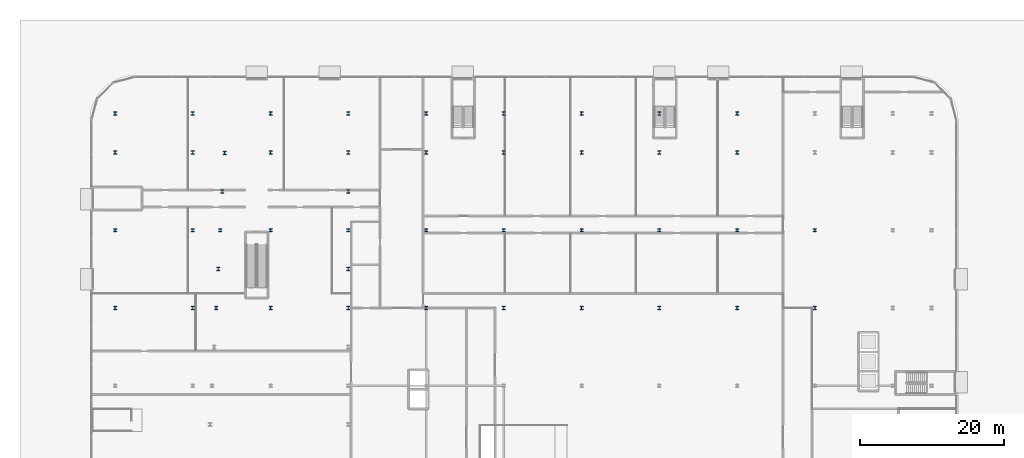
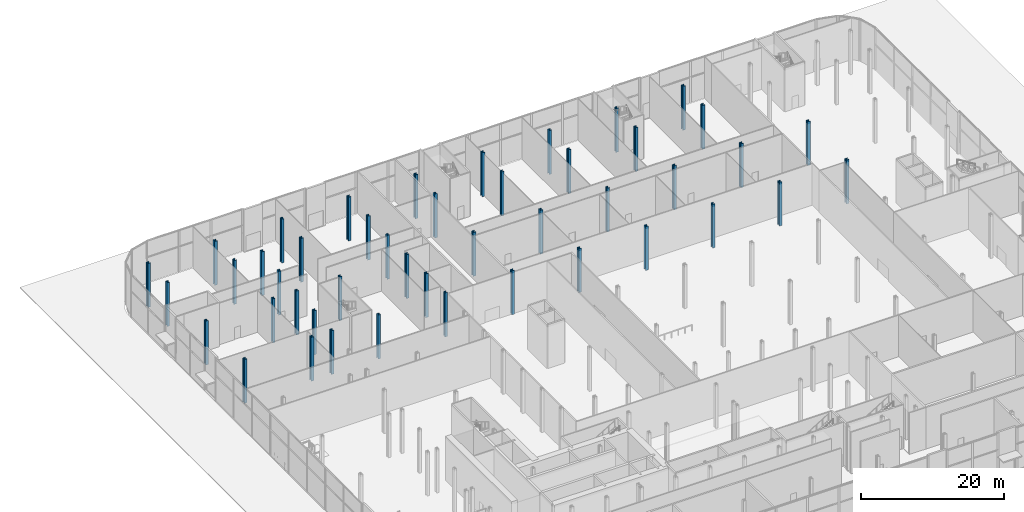
# One storey, part 3 of 46: 45 columns.
"""IFC4 building model written with IfcOpenShell, lengths in metres."""

from ifc_helpers import new_model, si_unit, direction, frame, origin, origin_2d, place, context, subcontext, project, spatial, i_section, extrude, material, material_profile, profile_set, type_object, element, save


model = new_model("IFC4")

# Units and contexts
model_context = context("Model", 3, precision=1e-05, world=origin(), true_north=direction((0.0, 1.0)))
body_context = subcontext(model_context, "Body", "Model", "MODEL_VIEW")
ifc_project = project(units=[si_unit("LENGTHUNIT", "METRE"), si_unit("AREAUNIT", "SQUARE_METRE"), si_unit("VOLUMEUNIT", "CUBIC_METRE"), si_unit("PLANEANGLEUNIT", "RADIAN"), si_unit("MASSUNIT", "GRAM", prefix="KILO")], contexts=[model_context])

# Site, building, storey
site_placement = place(None, origin())
site = spatial("IfcSite", under=ifc_project, at=site_placement, CompositionType="ELEMENT")
building_placement = place(site_placement, origin())
building = spatial("IfcBuilding", under=site, at=building_placement, Name="Kheshtan School and Residences Tower", CompositionType="ELEMENT")
storey_placement = place(building_placement, origin())
storey = spatial("IfcBuildingStorey", under=building, at=storey_placement, Name="L00", CompositionType="ELEMENT", Elevation=0.0)

# Columns
ifc_material = material(Name="Steel ASTM A992 Grade 50", Category="steel")
ifc_material_profile = material_profile(ifc_material, i_section(OverallWidth=0.424072265625, OverallDepth=0.47412109375, WebThickness=0.047607421875, FlangeThickness=0.0771484375, FilletRadius=0.01416015625, at=origin_2d()), Name="W360x634")
ifc_profile_set = profile_set([ifc_material_profile], Name="Steel ASTM A992 Grade 50")
column_type = type_object("IfcColumnType", Name="Column PC1 W360x634 ASTM A992 Grade 50", PredefinedType="COLUMN", material=ifc_profile_set)
for number, where, z_axis, x_axis, name in (
    (1, (15.199951171875, 78.0, 0.0), (0.0, 0.0, 1.0), (1.0, 0.0, 0.0), "Column P-073"),
    (2, (26.0, 78.0, 0.0), (0.0, 0.0, 1.0), (1.0, 0.0, 0.0), "Column P-074"),
    (3, (36.800048828125, 78.0, 0.0), (0.0, 0.0, 1.0), (1.0, 0.0, 0.0), "Column P-075"),
    (4, (47.60009765625, 78.0, 0.0), (0.0, 0.0, 1.0), (1.0, 0.0, 0.0), "Column P-076"),
    (5, (58.39990234375, 78.0, 0.0), (0.0, 0.0, 1.0), (1.0, 0.0, 0.0), "Column P-077"),
    (6, (69.199951171875, 78.0, 0.0), (0.0, 0.0, 1.0), (1.0, 0.0, 0.0), "Column P-078"),
    (7, (80.0, 78.0, 0.0), (0.0, 0.0, 1.0), (1.0, 0.0, 0.0), "Column P-079"),
    (8, (90.800048828125, 78.0, 0.0), (0.0, 0.0, 1.0), (1.0, 0.0, 0.0), "Column P-080"),
    (9, (101.60009765625, 78.0, 0.0), (0.0, 0.0, 1.0), (1.0, 0.0, 0.0), "Column P-081"),
    (10, (112.39990234375, 78.0, 0.0), (0.0, 0.0, 1.0), (1.0, 0.0, 0.0), "Column P-082"),
    (11, (15.199951171875, 88.800048828125, 0.0), (0.0, 0.0, 1.0), (1.0, 0.0, 0.0), "Column P-085"),
    (12, (26.0, 88.800048828125, 0.0), (0.0, 0.0, 1.0), (1.0, 0.0, 0.0), "Column P-086"),
    (13, (36.800048828125, 88.800048828125, 0.0), (0.0, 0.0, 1.0), (1.0, 0.0, 0.0), "Column P-087"),
    (14, (47.60009765625, 88.800048828125, 0.0), (0.0, 0.0, 1.0), (1.0, 0.0, 0.0), "Column P-088"),
    (15, (58.39990234375, 88.800048828125, 0.0), (0.0, 0.0, 1.0), (1.0, 0.0, 0.0), "Column P-089"),
    (16, (69.199951171875, 88.800048828125, 0.0), (0.0, 0.0, 1.0), (1.0, 0.0, 0.0), "Column P-090"),
    (17, (80.0, 88.800048828125, 0.0), (0.0, 0.0, 1.0), (1.0, 0.0, 0.0), "Column P-091"),
    (18, (90.800048828125, 88.800048828125, 0.0), (0.0, 0.0, 1.0), (1.0, 0.0, 0.0), "Column P-092"),
    (19, (101.60009765625, 88.800048828125, 0.0), (0.0, 0.0, 1.0), (1.0, 0.0, 0.0), "Column P-093"),
    (20, (112.39990234375, 88.800048828125, 0.0), (0.0, 0.0, 1.0), (1.0, 0.0, 0.0), "Column P-094"),
    (21, (15.199951171875, 99.60009765625, 0.0), (0.0, 0.0, 1.0), (1.0, 0.0, 0.0), "Column P-097"),
    (22, (26.0, 99.60009765625, 0.0), (0.0, 0.0, 1.0), (1.0, 0.0, 0.0), "Column P-098"),
    (23, (36.800048828125, 99.60009765625, 0.0), (0.0, 0.0, 1.0), (1.0, 0.0, 0.0), "Column P-099"),
    (24, (47.60009765625, 99.60009765625, 0.0), (0.0, 0.0, 1.0), (1.0, 0.0, 0.0), "Column P-100"),
    (25, (58.39990234375, 99.60009765625, 0.0), (0.0, 0.0, 1.0), (1.0, 0.0, 0.0), "Column P-101"),
    (26, (69.199951171875, 99.60009765625, 0.0), (0.0, 0.0, 1.0), (1.0, 0.0, 0.0), "Column P-102"),
    (27, (80.0, 99.60009765625, 0.0), (0.0, 0.0, 1.0), (1.0, 0.0, 0.0), "Column P-103"),
    (28, (90.800048828125, 99.60009765625, 0.0), (0.0, 0.0, 1.0), (1.0, 0.0, 0.0), "Column P-104"),
    (29, (101.60009765625, 99.60009765625, 0.0), (0.0, 0.0, 1.0), (1.0, 0.0, 0.0), "Column P-105"),
    (30, (15.199951171875, 105.0, 0.0), (0.0, 0.0, 1.0), (1.0, 0.0, 0.0), "Column P-109"),
    (31, (26.0, 105.0, 0.0), (0.0, 0.0, 1.0), (1.0, 0.0, 0.0), "Column P-110"),
    (32, (36.800048828125, 105.0, 0.0), (0.0, 0.0, 1.0), (1.0, 0.0, 0.0), "Column P-111"),
    (33, (47.60009765625, 105.0, 0.0), (0.0, 0.0, 1.0), (1.0, 0.0, 0.0), "Column P-112"),
    (34, (58.39990234375, 105.0, 0.0), (0.0, 0.0, 1.0), (1.0, 0.0, 0.0), "Column P-113"),
    (35, (69.199951171875, 105.0, 0.0), (0.0, 0.0, 1.0), (1.0, 0.0, 0.0), "Column P-114"),
    (36, (80.0, 105.0, 0.0), (0.0, 0.0, 1.0), (1.0, 0.0, 0.0), "Column P-115"),
    (37, (90.800048828125, 105.0, 0.0), (0.0, 0.0, 1.0), (1.0, 0.0, 0.0), "Column P-116"),
    (38, (101.60009765625, 105.0, 0.0), (0.0, 0.0, 1.0), (1.0, 0.0, 0.0), "Column P-117"),
    (39, (29.239990234375, 78.0, 0.0), (0.0, 0.0, 1.0), (1.0, 0.0, 0.0), "Transfer column X28"),
    (40, (29.530029296875, 83.39990234375, 0.0), (0.0, 0.0, 1.0), (1.0, 0.0, 0.0), "Transfer column X29"),
    (41, (47.60009765625, 83.39990234375, 0.0), (0.0, 0.0, 1.0), (1.0, 0.0, 0.0), "Transfer column X30"),
    (42, (29.81005859375, 88.800048828125, 0.0), (0.0, 0.0, 1.0), (1.0, 0.0, 0.0), "Transfer column X31"),
    (43, (30.090087890625, 94.199951171875, 0.0), (0.0, 0.0, 1.0), (1.0, 0.0, 0.0), "Transfer column X32"),
    (44, (47.60009765625, 94.199951171875, 0.0), (0.0, 0.0, 1.0), (1.0, 0.0, 0.0), "Transfer column X33"),
    (45, (30.419921875, 99.510009765625, 0.0), (0.0, 0.0, 1.0), (1.0, 0.0, 0.0), "Transfer column X34"),
):
    element("IfcColumn", number, at=place(storey_placement, frame(where, z_axis=z_axis, x_axis=x_axis)), inside=storey, type_object=column_type, Name=name, PredefinedType="COLUMN", context=body_context, shape_type="SweptSolid", body=[
        extrude(i_section(OverallWidth=0.424072265625, OverallDepth=0.47412109375, WebThickness=0.047607421875, FlangeThickness=0.0771484375, FilletRadius=0.01416015625, at=origin_2d()), origin(), (0.0, 0.0, 1.0), 7.5),
    ])

save(model, "model.ifc")
